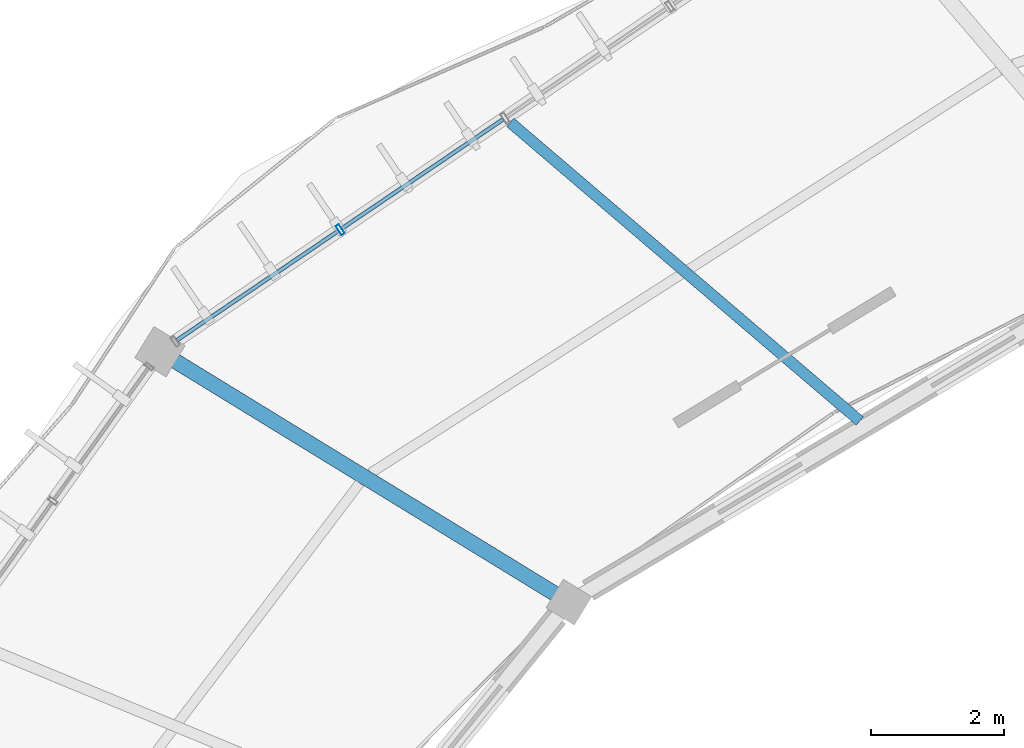
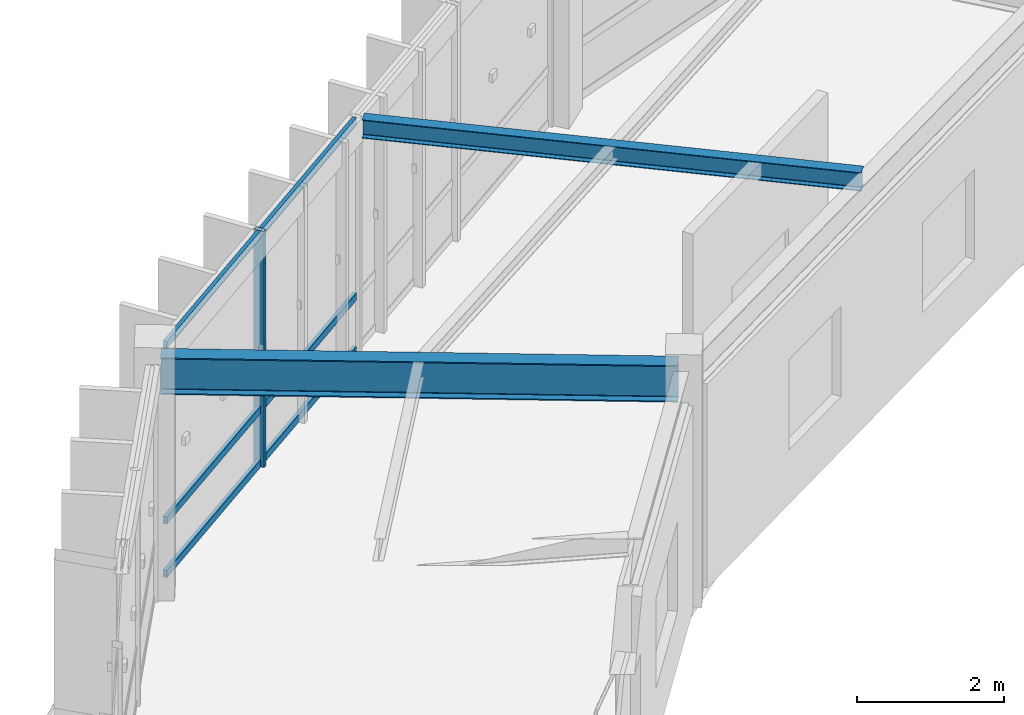
# One storey, part 26 of 79: 7 members, 2 beams, 1 element without a shape of its own.
"""IFC4 building model written with IfcOpenShell, lengths in metres."""

from ifc_helpers import new_model, si_unit, direction, frame, origin, origin_2d, place, context, subcontext, project, spatial, hollow_rectangle, i_section, extrude, material, material_profile, profile_set, type_object, element, aggregate, save


model = new_model("IFC4")

# Units and contexts
model_context = context("Model", 3, precision=1e-05, world=origin(), true_north=direction((0.0, 1.0)))
body_context = subcontext(model_context, "Body", "Model", "MODEL_VIEW")
ifc_project = project(units=[si_unit("LENGTHUNIT", "METRE"), si_unit("AREAUNIT", "SQUARE_METRE"), si_unit("VOLUMEUNIT", "CUBIC_METRE"), si_unit("PLANEANGLEUNIT", "RADIAN"), si_unit("MASSUNIT", "GRAM", prefix="KILO"), si_unit("THERMODYNAMICTEMPERATUREUNIT", "KELVIN"), si_unit("POWERUNIT", "WATT")], contexts=[model_context])

# Site, building, storey
site_placement = place(None, origin())
site = spatial("IfcSite", under=ifc_project, at=site_placement, CompositionType="ELEMENT")
building_placement = place(site_placement, origin())
building = spatial("IfcBuilding", under=site, at=building_placement, Name="Darbajah Civic Hall", CompositionType="ELEMENT")
storey_placement = place(building_placement, frame((0.0, 0.0, 22.199951171875)))
storey = spatial("IfcBuildingStorey", under=building, at=storey_placement, Name="L05", CompositionType="ELEMENT", Elevation=22.199951171875)

# Curtain wall, members
ifc_material_1 = material(Name="Anodised Bronze Aluminium and Low-E Glazing", Category="aluminium")
curtain_wall_type = type_object("IfcCurtainWallType", Name="Unitised Curtain Wall CW-81 12000x3900", PredefinedType="USERDEFINED", material=ifc_material_1)
curtain_wall_placement = place(storey_placement, origin())
curtain_wall = element("IfcCurtainWall", 1, at=curtain_wall_placement, inside=storey, type_object=curtain_wall_type, Name="L05 unitised curtain wall CW-V1O-L05-07", ObjectType="UNITISED CURTAIN WALL", PredefinedType="USERDEFINED")
ifc_material_2 = material(Name="Anodised Bronze Aluminium", Category="aluminium")
ifc_material_profile_1 = material_profile(ifc_material_2, hollow_rectangle(XDim=0.06005859375, YDim=0.159912109375, WallThickness=0.00341796875, at=origin_2d()), Name="ALU MULLION 60x160")
ifc_profile_set_1 = profile_set([ifc_material_profile_1], Name="Anodised Bronze Aluminium")
member_type_1 = type_object("IfcMemberType", Name="ALU MULLION 60x160", PredefinedType="MULLION", material=ifc_profile_set_1)
member_1_placement = place(storey_placement, frame((48.32080078125, 107.0458984375, 0.0), z_axis=(0.0, 0.0, 1.0), x_axis=(-0.827962472047, -0.560783509816, 0.0)))
member_1 = element("IfcMember", 2, at=member_1_placement, type_object=member_type_1, Name="CW-V1O-L05-07 mullion 4", PredefinedType="MULLION", context=body_context, shape_type="SweptSolid", body=[
    extrude(hollow_rectangle(XDim=0.06005859375, YDim=0.159912109375, WallThickness=0.00341796875, at=origin_2d()), origin(), (0.0, 0.0, 1.0), 3.920166015625),
])
ifc_material_profile_2 = material_profile(ifc_material_2, hollow_rectangle(XDim=0.06005859375, YDim=0.1201171875, WallThickness=0.003173828125, at=origin_2d()), Name="ALU TRANSOM 60x120")
ifc_profile_set_2 = profile_set([ifc_material_profile_2], Name="Anodised Bronze Aluminium")
member_type_2 = type_object("IfcMemberType", Name="ALU TRANSOM 60x120", PredefinedType="USERDEFINED", material=ifc_profile_set_2)
member_2_placement = place(storey_placement, frame((50.767822265625, 108.703125, 0.06005859375), z_axis=(-0.828028865211, -0.56068547188, 0.0), x_axis=(0.56068547188, -0.828028865211, 0.0)))
member_2 = element("IfcMember", 3, at=member_2_placement, type_object=member_type_2, Name="CW-V1O-L05-07 transom 3.1", ObjectType="TRANSOM", PredefinedType="USERDEFINED", context=body_context, shape_type="SweptSolid", body=[
    extrude(hollow_rectangle(XDim=0.06005859375, YDim=0.1201171875, WallThickness=0.003173828125, at=origin_2d()), origin(), (0.0, 0.0, 1.0), 2.92041015625),
])
member_3_placement = place(storey_placement, frame((50.767822265625, 108.703125, 0.949951171875), z_axis=(-0.828028865211, -0.56068547188, 0.0), x_axis=(0.56068547188, -0.828028865211, 0.0)))
member_3 = element("IfcMember", 4, at=member_3_placement, type_object=member_type_2, Name="CW-V1O-L05-07 transom 3.2", ObjectType="TRANSOM", PredefinedType="USERDEFINED", context=body_context, shape_type="SweptSolid", body=[
    extrude(hollow_rectangle(XDim=0.06005859375, YDim=0.1201171875, WallThickness=0.003173828125, at=origin_2d()), origin(), (0.0, 0.0, 1.0), 2.92041015625),
])
member_4_placement = place(storey_placement, frame((50.767822265625, 108.703125, 3.860107421875), z_axis=(-0.828028865211, -0.56068547188, 0.0), x_axis=(0.56068547188, -0.828028865211, 0.0)))
member_4 = element("IfcMember", 5, at=member_4_placement, type_object=member_type_2, Name="CW-V1O-L05-07 transom 3.3", ObjectType="TRANSOM", PredefinedType="USERDEFINED", context=body_context, shape_type="SweptSolid", body=[
    extrude(hollow_rectangle(XDim=0.06005859375, YDim=0.1201171875, WallThickness=0.003173828125, at=origin_2d()), origin(), (0.0, 0.0, 1.0), 2.92041015625),
])
member_5_placement = place(storey_placement, frame((48.291748046875, 107.0263671875, 0.06005859375), z_axis=(-0.827963766836, -0.560781598135, 0.0), x_axis=(0.560781598135, -0.827963766836, 0.0)))
member_5 = element("IfcMember", 6, at=member_5_placement, type_object=member_type_2, Name="CW-V1O-L05-07 transom 4.1", ObjectType="TRANSOM", PredefinedType="USERDEFINED", context=body_context, shape_type="SweptSolid", body=[
    extrude(hollow_rectangle(XDim=0.06005859375, YDim=0.1201171875, WallThickness=0.003173828125, at=origin_2d()), origin(), (0.0, 0.0, 1.0), 2.92041015625),
])
member_6_placement = place(storey_placement, frame((48.291748046875, 107.0263671875, 0.949951171875), z_axis=(-0.827963766836, -0.560781598135, 0.0), x_axis=(0.560781598135, -0.827963766836, 0.0)))
member_6 = element("IfcMember", 7, at=member_6_placement, type_object=member_type_2, Name="CW-V1O-L05-07 transom 4.2", ObjectType="TRANSOM", PredefinedType="USERDEFINED", context=body_context, shape_type="SweptSolid", body=[
    extrude(hollow_rectangle(XDim=0.06005859375, YDim=0.1201171875, WallThickness=0.003173828125, at=origin_2d()), origin(), (0.0, 0.0, 1.0), 2.92041015625),
])
member_7_placement = place(storey_placement, frame((48.291748046875, 107.0263671875, 3.860107421875), z_axis=(-0.827963766836, -0.560781598135, 0.0), x_axis=(0.560781598135, -0.827963766836, 0.0)))
member_7 = element("IfcMember", 8, at=member_7_placement, type_object=member_type_2, Name="CW-V1O-L05-07 transom 4.3", ObjectType="TRANSOM", PredefinedType="USERDEFINED", context=body_context, shape_type="SweptSolid", body=[
    extrude(hollow_rectangle(XDim=0.06005859375, YDim=0.1201171875, WallThickness=0.003173828125, at=origin_2d()), origin(), (0.0, 0.0, 1.0), 2.92041015625),
])
aggregate(curtain_wall, [member_1, member_2, member_3, member_4, member_5, member_6, member_7])

# Beams
ifc_material_3 = material(Name="Steel S355JR", Category="steel")
ifc_material_profile_3 = material_profile(ifc_material_3, i_section(OverallWidth=0.165771484375, OverallDepth=0.306640625, WebThickness=0.006591796875, FlangeThickness=0.01171875, FilletRadius=0.0087890625, at=origin_2d()), Name="UB 305x165x46")
ifc_profile_set_3 = profile_set([ifc_material_profile_3], Name="Steel S355JR")
beam_type_1 = type_object("IfcBeamType", Name="UB 305x165x46", PredefinedType="JOIST", material=ifc_profile_set_3)
beam_1_placement = place(storey_placement, frame((56.123779296875, 104.173095703125, 3.766845703125), z_axis=(-0.760413700639, 0.649438991654, 0.0), x_axis=(-0.649438991654, -0.760413700639, 0.0)))
element("IfcBeam", 9, at=beam_1_placement, inside=storey, type_object=beam_type_1, Name="L05 beam SJ-305", PredefinedType="JOIST", context=body_context, shape_type="SweptSolid", body=[
    extrude(i_section(OverallWidth=0.165771484375, OverallDepth=0.306640625, WebThickness=0.006591796875, FlangeThickness=0.01171875, FilletRadius=0.0087890625, at=origin_2d()), origin(), (0.0, 0.0, 1.0), 6.903564453125),
])
ifc_material_profile_4 = material_profile(ifc_material_3, i_section(OverallWidth=0.228271484375, OverallDepth=0.607666015625, WebThickness=0.010986328125, FlangeThickness=0.017333984375, FilletRadius=0.0126953125, at=origin_2d()), Name="UB 610x229x113")
ifc_profile_set_4 = profile_set([ifc_material_profile_4], Name="Steel S355JR")
beam_type_2 = type_object("IfcBeamType", Name="UB 610x229x113", PredefinedType="BEAM", material=ifc_profile_set_4)
beam_2_placement = place(storey_placement, frame((51.686279296875, 101.493408203125, 3.6162109375), z_axis=(-0.852639128905, 0.522500254411, 0.0), x_axis=(-0.522500254411, -0.852639128905, 0.0)))
element("IfcBeam", 10, at=beam_2_placement, inside=storey, type_object=beam_type_2, Name="L05 beam SB-610", PredefinedType="BEAM", context=body_context, shape_type="SweptSolid", body=[
    extrude(i_section(OverallWidth=0.228271484375, OverallDepth=0.607666015625, WebThickness=0.010986328125, FlangeThickness=0.017333984375, FilletRadius=0.0126953125, at=origin_2d()), origin(), (0.0, 0.0, 1.0), 7.0400390625),
])

save(model, "model.ifc")
